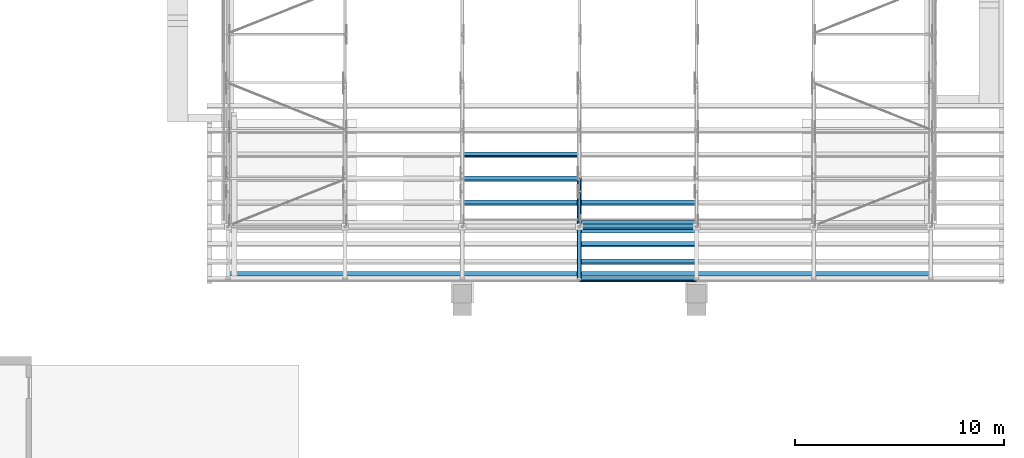
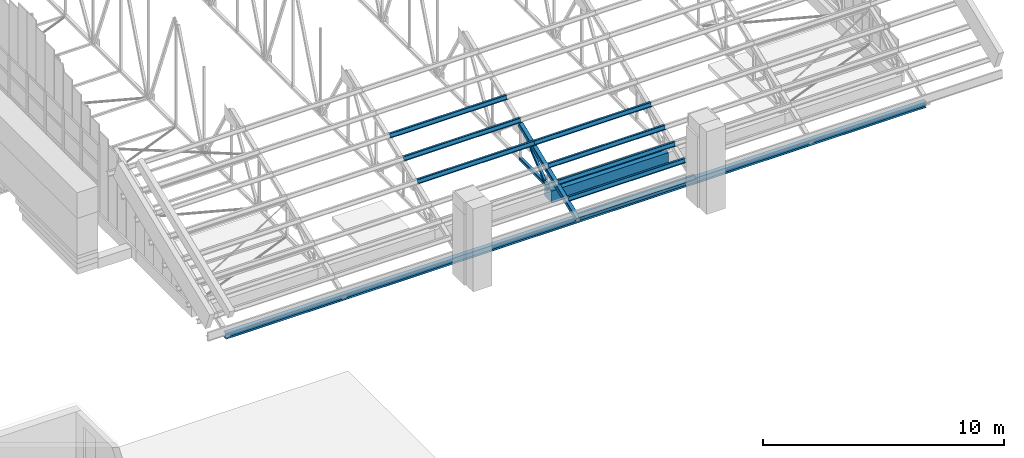
# One storey, part 6 of 71: 12 members, 2 beams.
"""IFC4 building model written with IfcOpenShell, lengths in metres."""

from ifc_helpers import new_model, si_unit, direction, frame, origin, origin_2d, place, context, subcontext, project, spatial, rectangle, hollow_rectangle, i_section, extrude, material, material_profile, profile_set, type_object, element, save


model = new_model("IFC4")

# Units and contexts
model_context = context("Model", 3, precision=1e-05, world=origin(), true_north=direction((0.0, 1.0)))
body_context = subcontext(model_context, "Body", "Model", "MODEL_VIEW")
ifc_project = project(units=[si_unit("LENGTHUNIT", "METRE"), si_unit("AREAUNIT", "SQUARE_METRE"), si_unit("VOLUMEUNIT", "CUBIC_METRE"), si_unit("PLANEANGLEUNIT", "RADIAN"), si_unit("MASSUNIT", "GRAM", prefix="KILO")], contexts=[model_context])

# Site, building, storey
site_placement = place(None, origin())
site = spatial("IfcSite", under=ifc_project, at=site_placement, CompositionType="ELEMENT")
building_placement = place(site_placement, origin())
building = spatial("IfcBuilding", under=site, at=building_placement, Name="Wasatch Bagh Community Centre", CompositionType="ELEMENT")
storey_placement = place(building_placement, frame((0.0, 0.0, 12.60009765625)))
storey = spatial("IfcBuildingStorey", under=building, at=storey_placement, Name="L03", CompositionType="ELEMENT", Elevation=12.60009765625)

# Beam
ifc_material_1 = material(Name="ASTM A992 Grade 50 steel", Category="steel")
ifc_material_profile_1 = material_profile(ifc_material_1, i_section(OverallWidth=0.203369140625, OverallDepth=0.30224609375, WebThickness=0.007568359375, FlangeThickness=0.01318359375, at=origin_2d()), Name="W12x40")
ifc_profile_set_1 = profile_set([ifc_material_profile_1], Name="ASTM A992 Grade 50 steel")
beam_type_1 = type_object("IfcBeamType", Name="CH-E1", PredefinedType="BEAM", material=ifc_profile_set_1)
beam_1_placement = place(storey_placement, frame((112.199951171875, 35.949951171875, 0.360595703125), z_axis=(1.0, 0.0, 0.0), x_axis=(0.0, 1.0, 0.0)))
element("IfcBeam", 1, at=beam_1_placement, inside=storey, type_object=beam_type_1, Name="CH-E1 eave edge beam SH S", PredefinedType="BEAM", context=body_context, shape_type="SweptSolid", body=[
    extrude(i_section(OverallWidth=0.203369140625, OverallDepth=0.30224609375, WebThickness=0.007568359375, FlangeThickness=0.01318359375, at=origin_2d()), origin(), (0.0, 0.0, 1.0), 33.60009765625),
])

# Members
ifc_material_2 = material(Name="ASTM A500 Grade C steel", Category="steel")
ifc_material_profile_2 = material_profile(ifc_material_2, hollow_rectangle(XDim=0.126953125, YDim=0.126953125, WallThickness=0.00732421875, InnerFilletRadius=0.00732421875, OuterFilletRadius=0.0146484375, at=origin_2d()), Name="HSS5x5x5/16")
ifc_profile_set_2 = profile_set([ifc_material_profile_2], Name="ASTM A500 Grade C steel")
member_type_1 = type_object("IfcMemberType", Name="SH HSS5x5x5/16 brace", PredefinedType="BRACE", material=ifc_profile_set_2)
member_1_placement = place(storey_placement, frame((129.0, 38.458740234375, 0.81201171875), z_axis=(0.0, 0.775829568588, 0.630942533441), x_axis=(-1.0, 0.0, 0.0)))
element("IfcMember", 2, at=member_1_placement, inside=storey, type_object=member_type_1, Name="SH.SA4.WB01", PredefinedType="BRACE", context=body_context, shape_type="SweptSolid", body=[
    extrude(hollow_rectangle(XDim=0.126953125, YDim=0.126953125, WallThickness=0.00732421875, InnerFilletRadius=0.00732421875, OuterFilletRadius=0.0146484375, at=origin_2d()), origin(), (0.0, 0.0, 1.0), 1.83837890625),
])
ifc_material_profile_3 = material_profile(ifc_material_2, hollow_rectangle(XDim=0.15234375, YDim=0.15234375, WallThickness=0.0087890625, InnerFilletRadius=0.0087890625, OuterFilletRadius=0.017822265625, at=origin_2d()), Name="HSS6x6x3/8")
ifc_profile_set_3 = profile_set([ifc_material_profile_3], Name="ASTM A500 Grade C steel")
member_type_2 = type_object("IfcMemberType", Name="SH HSS6x6x3/8 chord", PredefinedType="CHORD", material=ifc_profile_set_3)
member_2_placement = place(storey_placement, frame((129.0, 38.199951171875, 0.68603515625), z_axis=(0.0, 1.0, 0.0), x_axis=(-1.0, 0.0, 0.0)))
element("IfcMember", 3, at=member_2_placement, inside=storey, type_object=member_type_2, Name="SH.SA4.BC01", PredefinedType="CHORD", context=body_context, shape_type="SweptSolid", body=[
    extrude(hollow_rectangle(XDim=0.15234375, YDim=0.15234375, WallThickness=0.0087890625, InnerFilletRadius=0.0087890625, OuterFilletRadius=0.017822265625, at=origin_2d()), origin(), (0.0, 0.0, 1.0), 2.300048828125),
])
ifc_material_profile_4 = material_profile(ifc_material_2, hollow_rectangle(XDim=0.203125, YDim=0.203125, WallThickness=0.01171875, InnerFilletRadius=0.01171875, OuterFilletRadius=0.023681640625, at=origin_2d()), Name="HSS8x8x1/2")
ifc_profile_set_4 = profile_set([ifc_material_profile_4], Name="ASTM A500 Grade C steel")
member_type_3 = type_object("IfcMemberType", Name="SH HSS8x8x1/2 chord", PredefinedType="CHORD", material=ifc_profile_set_4)
member_3_placement = place(storey_placement, frame((129.0, 35.699951171875, 0.490234375), z_axis=(0.0, 0.927165625561, 0.374651708629), x_axis=(-1.0, 0.0, 0.0)))
element("IfcMember", 4, at=member_3_placement, inside=storey, type_object=member_type_3, Name="SH.SA4.TC01", PredefinedType="CHORD", context=body_context, shape_type="SweptSolid", body=[
    extrude(hollow_rectangle(XDim=0.203125, YDim=0.203125, WallThickness=0.01171875, InnerFilletRadius=0.01171875, OuterFilletRadius=0.023681640625, at=origin_2d()), origin(), (0.0, 0.0, 1.0), 2.69580078125),
])
member_4_placement = place(storey_placement, frame((129.0, 38.200439453125, 1.50048828125), z_axis=(0.0, 0.927174106992, 0.374630718605), x_axis=(-1.0, 0.0, 0.0)))
element("IfcMember", 5, at=member_4_placement, inside=storey, type_object=member_type_3, Name="SH.SA4.TC02", PredefinedType="CHORD", context=body_context, shape_type="SweptSolid", body=[
    extrude(hollow_rectangle(XDim=0.203125, YDim=0.203125, WallThickness=0.01171875, InnerFilletRadius=0.01171875, OuterFilletRadius=0.023681640625, at=origin_2d()), origin(), (0.0, 0.0, 1.0), 2.479736328125),
])

# Beam
ifc_material_3 = material(Name="Concrete C40", Category="concrete")
ifc_material_profile_5 = material_profile(ifc_material_3, rectangle(XDim=0.60009765625, YDim=0.60009765625, at=origin_2d()), Name="RC 600x600")
ifc_profile_set_5 = profile_set([ifc_material_profile_5], Name="Concrete C40")
beam_type_2 = type_object("IfcBeamType", Name="SH RC 600x600 beam", PredefinedType="BEAM", material=ifc_profile_set_5)
beam_2_placement = place(storey_placement, frame((129.0, 38.199951171875, 0.2998046875), z_axis=(1.0, 0.0, 0.0), x_axis=(0.0, 1.0, 0.0)))
element("IfcBeam", 6, at=beam_2_placement, inside=storey, type_object=beam_type_2, Name="SH.beam.L03.ring04", PredefinedType="BEAM", context=body_context, shape_type="SweptSolid", body=[
    extrude(rectangle(XDim=0.60009765625, YDim=0.60009765625, at=origin_2d()), origin(), (0.0, 0.0, 1.0), 5.60009765625),
])

# Members
ifc_material_profile_6 = material_profile(ifc_material_1, i_section(OverallWidth=0.203125, OverallDepth=0.203125, WebThickness=0.00732421875, FlangeThickness=0.010986328125, at=origin_2d()), Name="W8x31")
ifc_profile_set_6 = profile_set([ifc_material_profile_6], Name="ASTM A992 Grade 50 steel")
member_type_4 = type_object("IfcMemberType", Name="SH W8x31 purlin", PredefinedType="PURLIN", material=ifc_profile_set_6)
for number, where, z_axis, x_axis, name in (
    (7, (123.39990234375, 39.35009765625, 2.18408203125), (1.0, 0.0, 0.0), (0.0, 0.927183854567, -0.374606593416), "SH.PUR.b3.PU05"),
    (8, (123.39990234375, 40.5, 2.648681640625), (1.0, 0.0, 0.0), (0.0, 0.927183854567, -0.374606593416), "SH.PUR.b3.PU06"),
    (9, (123.39990234375, 41.64990234375, 3.11328125), (1.0, 0.0, 0.0), (0.0, 0.927183854567, -0.374606593416), "SH.PUR.b3.PU07"),
    (10, (129.0, 35.699951171875, 0.70947265625), (1.0, 0.0, 0.0), (0.0, 0.927183854567, -0.374606593416), "SH.PUR.b4.PU01"),
    (11, (129.0, 36.533447265625, 1.046142578125), (1.0, 0.0, 0.0), (0.0, 0.927183854567, -0.374606593416), "SH.PUR.b4.PU02"),
    (12, (129.0, 37.36669921875, 1.3828125), (1.0, 0.0, 0.0), (0.0, 0.927183854567, -0.374606593416), "SH.PUR.b4.PU03"),
    (13, (129.0, 38.199951171875, 1.719482421875), (1.0, 0.0, 0.0), (0.0, 0.927183854567, -0.374606593416), "SH.PUR.b4.PU04"),
    (14, (129.0, 39.35009765625, 2.18408203125), (1.0, 0.0, 0.0), (0.0, 0.927183854567, -0.374606593416), "SH.PUR.b4.PU05"),
):
    element("IfcMember", number, at=place(storey_placement, frame(where, z_axis=z_axis, x_axis=x_axis)), inside=storey, type_object=member_type_4, Name=name, PredefinedType="PURLIN", context=body_context, shape_type="SweptSolid", body=[
        extrude(i_section(OverallWidth=0.203125, OverallDepth=0.203125, WebThickness=0.00732421875, FlangeThickness=0.010986328125, at=origin_2d()), origin(), (0.0, 0.0, 1.0), 5.60009765625),
    ])

save(model, "model.ifc")
